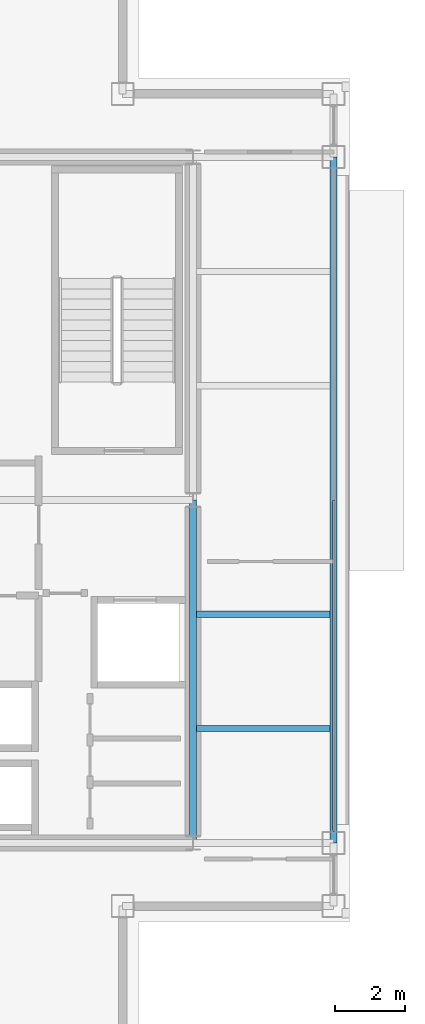
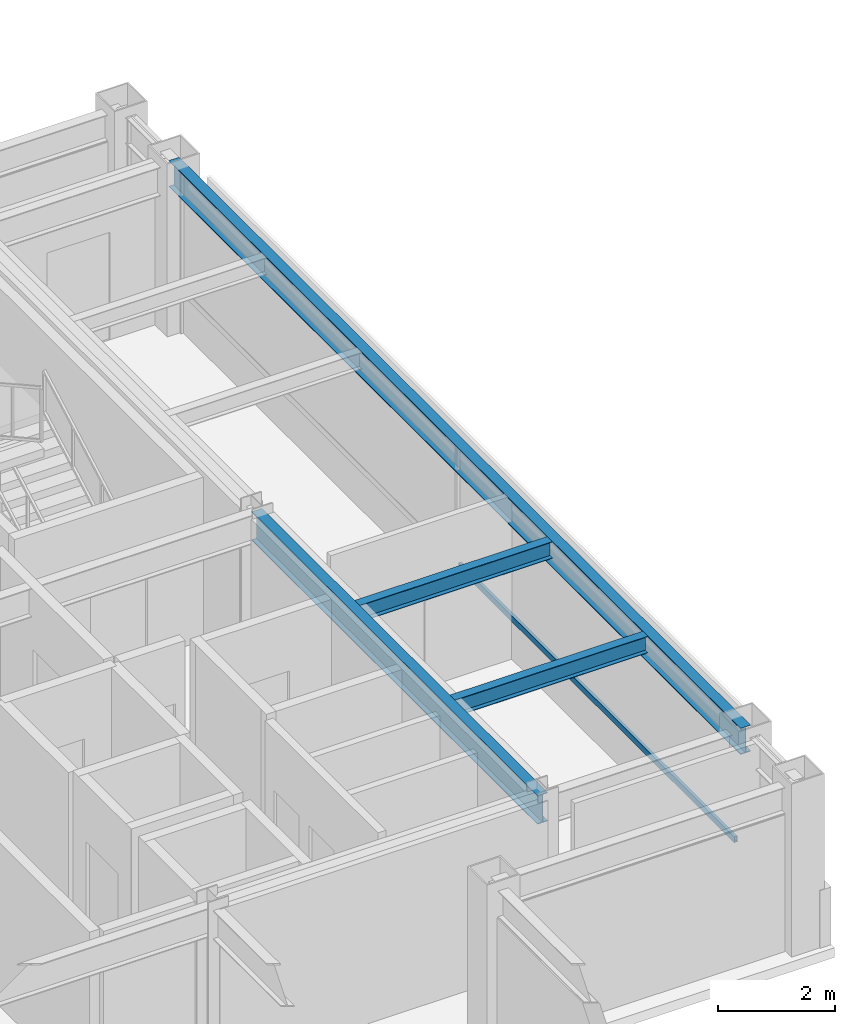
# One storey, part 11 of 20: 4 beams, 1 member, 1 element without a shape of its own.
"""IFC4 building model written with IfcOpenShell, lengths in metres."""

from ifc_helpers import new_model, si_unit, direction, frame, origin, origin_2d, place, context, subcontext, project, spatial, hollow_rectangle, i_section, extrude, material, layer, layer_set, material_profile, profile_set, type_object, element, aggregate, save


model = new_model("IFC4")

# Units and contexts
model_context = context("Model", 3, precision=1e-05, world=origin(), true_north=direction((0.0, 1.0)))
body_context = subcontext(model_context, "Body", "Model", "MODEL_VIEW")
ifc_project = project(units=[si_unit("LENGTHUNIT", "METRE"), si_unit("AREAUNIT", "SQUARE_METRE"), si_unit("VOLUMEUNIT", "CUBIC_METRE"), si_unit("PLANEANGLEUNIT", "RADIAN"), si_unit("MASSUNIT", "GRAM", prefix="KILO")], contexts=[model_context])

# Site, building, storey
site_placement = place(None, origin())
site = spatial("IfcSite", under=ifc_project, at=site_placement, CompositionType="ELEMENT")
building_placement = place(site_placement, origin())
building = spatial("IfcBuilding", under=site, at=building_placement, Name="Brelmoor Portico Tower", CompositionType="ELEMENT")
storey_placement = place(building_placement, frame((0.0, 0.0, 243.60009765625)))
storey = spatial("IfcBuildingStorey", under=building, at=storey_placement, Name="L64", CompositionType="ELEMENT", Elevation=243.60009765625)

# Beams
ifc_material_1 = material(Name="Steel Q355B", Category="steel")
ifc_material_profile_1 = material_profile(ifc_material_1, i_section(OverallWidth=0.175048828125, OverallDepth=0.35009765625, WebThickness=0.007080078125, FlangeThickness=0.010986328125, at=origin_2d()), Name="HN 350x175x7x11")
ifc_profile_set_1 = profile_set([ifc_material_profile_1], Name="Steel Q355B")
beam_type_1 = type_object("IfcBeamType", Name="BM-JS-350", PredefinedType="JOIST", material=ifc_profile_set_1)
for number, where, z_axis, x_axis, name in (
    (1, (14.64990234375, -6.5, 3.224853515625), (1.0, 0.0, 0.0), (0.0, 1.0, 0.0), "L64 Secondary Wing Joist JS-E11"),
    (2, (14.64990234375, -3.25, 3.224853515625), (1.0, 0.0, 0.0), (0.0, 1.0, 0.0), "L64 Secondary Wing Joist JS-E12"),
):
    element("IfcBeam", number, at=place(storey_placement, frame(where, z_axis=z_axis, x_axis=x_axis)), inside=storey, type_object=beam_type_1, Name=name, PredefinedType="JOIST", context=body_context, shape_type="SweptSolid", body=[
        extrude(i_section(OverallWidth=0.175048828125, OverallDepth=0.35009765625, WebThickness=0.007080078125, FlangeThickness=0.010986328125, at=origin_2d()), origin(), (0.0, 0.0, 1.0), 3.800048828125),
    ])
ifc_material_profile_2 = material_profile(ifc_material_1, i_section(OverallWidth=0.199951171875, OverallDepth=0.60009765625, WebThickness=0.010986328125, FlangeThickness=0.01708984375, at=origin_2d()), Name="HN 600x200x11x17")
ifc_profile_set_2 = profile_set([ifc_material_profile_2], Name="Steel Q355B")
beam_type_2 = type_object("IfcBeamType", Name="BM-PG-600", PredefinedType="BEAM", material=ifc_profile_set_2)
beam_1_placement = place(storey_placement, frame((14.550048828125, -9.75, 3.099853515625), z_axis=(0.0, 1.0, 0.0), x_axis=(-1.0, 0.0, 0.0)))
element("IfcBeam", 3, at=beam_1_placement, inside=storey, type_object=beam_type_2, Name="L64 Primary Floor Girder PG-09", PredefinedType="BEAM", context=body_context, shape_type="SweptSolid", body=[
    extrude(i_section(OverallWidth=0.199951171875, OverallDepth=0.60009765625, WebThickness=0.010986328125, FlangeThickness=0.01708984375, at=origin_2d()), origin(), (0.0, 0.0, 1.0), 9.75),
])
ifc_material_profile_3 = material_profile(ifc_material_1, i_section(OverallWidth=0.199951171875, OverallDepth=0.550048828125, WebThickness=0.010009765625, FlangeThickness=0.01611328125, at=origin_2d()), Name="HN 550x200x10x16")
ifc_profile_set_3 = profile_set([ifc_material_profile_3], Name="Steel Q355B")
beam_type_3 = type_object("IfcBeamType", Name="BM-SP-550", PredefinedType="SPANDREL", material=ifc_profile_set_3)
beam_2_placement = place(storey_placement, frame((18.550048828125, -9.75, 3.125), z_axis=(0.0, 1.0, 0.0), x_axis=(-1.0, 0.0, 0.0)))
element("IfcBeam", 4, at=beam_2_placement, inside=storey, type_object=beam_type_3, Name="L64 Perimeter Spandrel Beam SP-19", PredefinedType="SPANDREL", context=body_context, shape_type="SweptSolid", body=[
    extrude(i_section(OverallWidth=0.199951171875, OverallDepth=0.550048828125, WebThickness=0.010009765625, FlangeThickness=0.01611328125, at=origin_2d()), origin(), (0.0, 0.0, 1.0), 19.5),
])

# Curtain wall, member
ifc_material_2 = material(Name="Anodised Aluminium Alloy 6063-T6", Category="aluminium")
ifc_layer = layer(ifc_material_2, 0.179931640625)
ifc_layer_set = layer_set([ifc_layer], Name="Anodised Aluminium Alloy 6063-T6")
curtain_wall_type = type_object("IfcCurtainWallType", Name="CW-TOWER-Z4", PredefinedType="NOTDEFINED", material=ifc_layer_set)
curtain_wall_placement = place(storey_placement, origin())
curtain_wall = element("IfcCurtainWall", 5, at=curtain_wall_placement, inside=storey, type_object=curtain_wall_type, Name="L64 Curtain Wall CW-L64-04-2", PredefinedType="NOTDEFINED")
ifc_material_profile_4 = material_profile(ifc_material_2, hollow_rectangle(XDim=0.06005859375, YDim=0.125, WallThickness=0.00341796875, at=origin_2d()), Name="ALU TRANSOM 60x125")
ifc_profile_set_4 = profile_set([ifc_material_profile_4], Name="Anodised Aluminium Alloy 6063-T6")
member_type = type_object("IfcMemberType", Name="MB-CW-TRAN-125", PredefinedType="USERDEFINED", material=ifc_profile_set_4)
member_placement = place(storey_placement, frame((18.550048828125, -9.4150390625, 0.849853515625), z_axis=(0.0, 1.0, 0.0), x_axis=(-1.0, 0.0, 0.0)))
member = element("IfcMember", 6, at=member_placement, type_object=member_type, Name="CW-L64-04-2 Transom 1-00", ObjectType="TRANSOM", PredefinedType="USERDEFINED", context=body_context, shape_type="SweptSolid", body=[
    extrude(hollow_rectangle(XDim=0.06005859375, YDim=0.125, WallThickness=0.00341796875, at=origin_2d()), origin(), (0.0, 0.0, 1.0), 9.4150390625),
])
aggregate(curtain_wall, [member])

save(model, "model.ifc")
